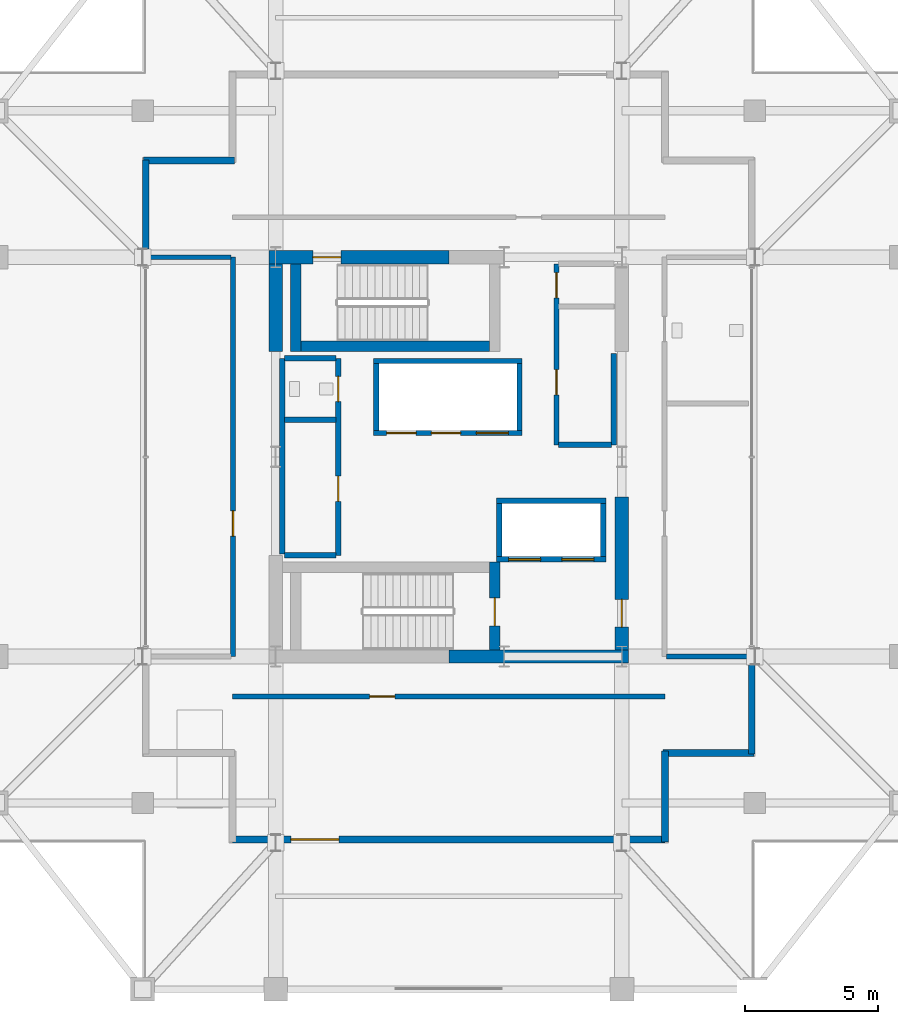
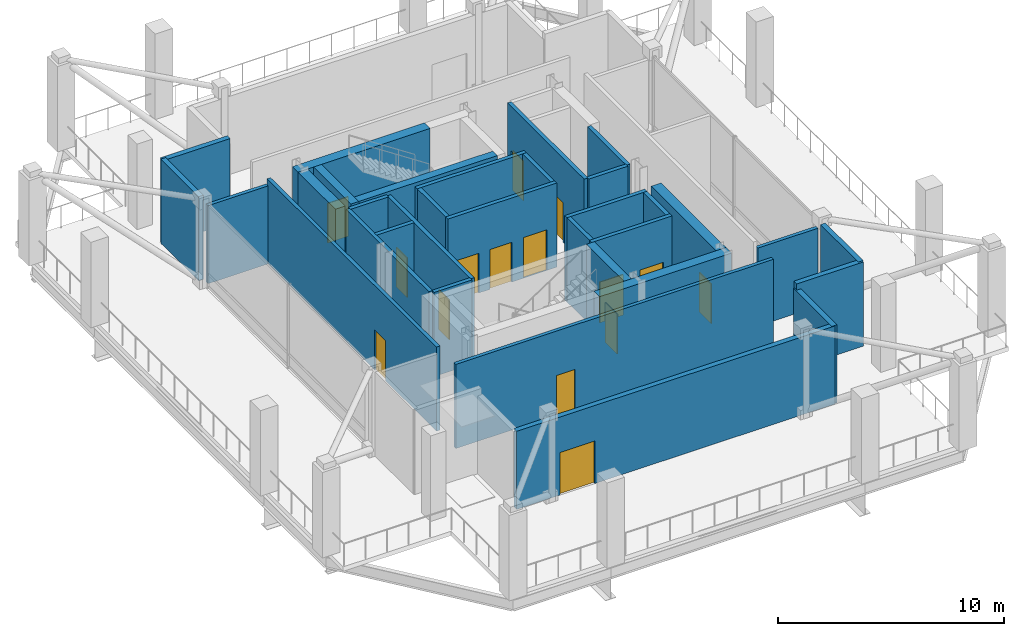
# One storey, part 12 of 17: 33 walls, 15 doors, 15 openings.
"""IFC4 building model written with IfcOpenShell, lengths in metres."""

from ifc_helpers import new_model, si_unit, direction, frame, frame_2d, origin, place, context, subcontext, project, spatial, rectangle, extrude, material, layer, layer_set, type_object, element, fill, save


model = new_model("IFC4")

# Units and contexts
model_context = context("Model", 3, precision=1e-05, world=origin(), true_north=direction((0.0, 1.0)))
body_context = subcontext(model_context, "Body", "Model", "MODEL_VIEW")
ifc_project = project(units=[si_unit("LENGTHUNIT", "METRE"), si_unit("AREAUNIT", "SQUARE_METRE"), si_unit("VOLUMEUNIT", "CUBIC_METRE"), si_unit("PLANEANGLEUNIT", "RADIAN"), si_unit("MASSUNIT", "GRAM", prefix="KILO")], contexts=[model_context])

# Site, building, storey
site_placement = place(None, origin())
site = spatial("IfcSite", under=ifc_project, at=site_placement, CompositionType="ELEMENT")
building_placement = place(site_placement, origin())
building = spatial("IfcBuilding", under=site, at=building_placement, Name="Barlavira Tower and Art Museum", CompositionType="ELEMENT")
storey_placement = place(building_placement, frame((0.0, 0.0, 305.10009765625)))
storey = spatial("IfcBuildingStorey", under=building, at=storey_placement, Name="L80", CompositionType="ELEMENT", Elevation=305.10009765625)

# Wall
ifc_material_1 = material(Name="Concrete C60", Category="concrete")
ifc_layer_1 = layer(ifc_material_1, 0.5, Name="Concrete C60")
ifc_layer_set_1 = layer_set([ifc_layer_1], Name="Concrete C60")
wall_type_1 = type_object("IfcWallType", Name="Core Structural Shear Wall 500 Concrete C60", PredefinedType="SHEAR", material=ifc_layer_set_1)
wall_1_placement = place(storey_placement, frame((0.0, -7.5, 0.0), z_axis=(0.0, 0.0, 1.0), x_axis=(1.0, 0.0, 0.0)))
element("IfcWall", 1, at=wall_1_placement, inside=storey, type_object=wall_type_1, Name="L80 Core Shear Wall CS-SE", PredefinedType="SHEAR", context=body_context, shape_type="SweptSolid", body=[
    extrude(rectangle(XDim=6.75, YDim=0.5, at=frame_2d((3.375, 0.0))), origin(), (0.0, 0.0, 1.0), 4.5498046875),
])

# Wall, opening, door
wall_2_placement = place(storey_placement, frame((-6.75, 7.5, 0.0), z_axis=(0.0, 0.0, 1.0), x_axis=(1.0, 0.0, 0.0)))
wall_2 = element("IfcWall", 2, at=wall_2_placement, inside=storey, type_object=wall_type_1, Name="L80 Core Shear Wall CS-NW", PredefinedType="SHEAR", context=body_context, shape_type="SweptSolid", body=[
    extrude(rectangle(XDim=6.75, YDim=0.5, at=frame_2d((3.375, 0.0))), origin(), (0.0, 0.0, 1.0), 4.5498046875),
])
opening_1_placement = place(wall_2_placement, frame((1.64990234375, 0.0, 0.0)))
opening_1 = element("IfcOpeningElement", 3, at=opening_1_placement, cuts=wall_2, Name="Opening FD-90", PredefinedType="OPENING", context=body_context, shape_type="SweptSolid", body=[
    extrude(rectangle(XDim=1.050048828125, YDim=2.14990234375, at=frame_2d((0.52490234375, 1.074951171875))), frame((0.0, 0.260009765625, 0.0), z_axis=(0.0, -1.0, 0.0), x_axis=(1.0, 0.0, 0.0)), (0.0, 0.0, 1.0), 0.52001953125),
])
ifc_material_2 = material(Name="Brushed stainless steel", Category="steel")
door_type_1 = type_object("IfcDoorType", Name="Stair and Refuge Fire Door 1050x2150 FD90S", OperationType="NOTDEFINED", PredefinedType="DOOR", material=ifc_material_2)
door_1_placement = place(opening_1_placement, origin())
door_1 = element("IfcDoor", 4, at=door_1_placement, inside=storey, type_object=door_type_1, Name="L80 Stair ST-T2 Fire Door", OperationType="SINGLE_SWING_LEFT", OverallHeight=2.14990234375, OverallWidth=1.050048828125, PredefinedType="DOOR", context=body_context, shape_type="SweptSolid", body=[
    extrude(rectangle(XDim=1.050048828125, YDim=2.14990234375, at=frame_2d((0.52490234375, 1.074951171875))), frame((0.0, 0.02490234375, 0.0), z_axis=(0.0, -1.0, 0.0), x_axis=(1.0, 0.0, 0.0)), (0.0, 0.0, 1.0), 0.050048828125),
])
fill(opening_1, door_1)

# Wall
wall_3_placement = place(storey_placement, frame((-6.5, 3.949951171875, 0.0), z_axis=(0.0, 0.0, 1.0), x_axis=(0.0, 1.0, 0.0)))
element("IfcWall", 5, at=wall_3_placement, inside=storey, type_object=wall_type_1, Name="L80 Core Shear Wall CS-W2", PredefinedType="SHEAR", context=body_context, shape_type="SweptSolid", body=[
    extrude(rectangle(XDim=3.300048828125, YDim=0.5, at=frame_2d((1.64990234375, 0.0))), origin(), (0.0, 0.0, 1.0), 4.5498046875),
])

# Wall, opening, door
wall_4_placement = place(storey_placement, frame((6.5, -7.25, 0.0), z_axis=(0.0, 0.0, 1.0), x_axis=(0.0, 1.0, 0.0)))
wall_4 = element("IfcWall", 6, at=wall_4_placement, inside=storey, type_object=wall_type_1, Name="L80 Core Shear Wall CS-E1", PredefinedType="SHEAR", context=body_context, shape_type="SweptSolid", body=[
    extrude(rectangle(XDim=5.75, YDim=0.5, at=frame_2d((2.875, 0.0))), origin(), (0.0, 0.0, 1.0), 4.5498046875),
])
opening_2_placement = place(wall_4_placement, frame((0.85009765625, 0.0, 0.0)))
opening_2 = element("IfcOpeningElement", 7, at=opening_2_placement, cuts=wall_4, Name="Opening FD-90", PredefinedType="OPENING", context=body_context, shape_type="SweptSolid", body=[
    extrude(rectangle(XDim=1.050048828125, YDim=2.14990234375, at=frame_2d((0.52490234375, 1.074951171875))), frame((0.0, 0.260009765625, 0.0), z_axis=(0.0, -1.0, 0.0), x_axis=(1.0, 0.0, 0.0)), (0.0, 0.0, 1.0), 0.52001953125),
])
door_2_placement = place(opening_2_placement, origin())
door_2 = element("IfcDoor", 8, at=door_2_placement, inside=storey, type_object=door_type_1, Name="L80 Firefighting Lobby Entry Fire Door", OperationType="SINGLE_SWING_LEFT", OverallHeight=2.14990234375, OverallWidth=1.050048828125, PredefinedType="DOOR", context=body_context, shape_type="SweptSolid", body=[
    extrude(rectangle(XDim=1.050048828125, YDim=2.14990234375, at=frame_2d((0.52490234375, 1.074951171875))), frame((0.0, 0.02490234375, 0.0), z_axis=(0.0, -1.0, 0.0), x_axis=(1.0, 0.0, 0.0)), (0.0, 0.0, 1.0), 0.050048828125),
])
fill(opening_2, door_2)

ifc_material_3 = material(Name="Architectural white precast concrete C40", Category="concrete")
ifc_layer_2 = layer(ifc_material_3, 0.260009765625, Name="Architectural white precast concrete C40")
ifc_layer_set_2 = layer_set([ifc_layer_2], Name="Architectural white precast concrete C40")
wall_type_2 = type_object("IfcWallType", Name="Crown Architectural White Precast Wall 260 Concrete C40", PredefinedType="SOLIDWALL", material=ifc_layer_set_2)
wall_5_placement = place(storey_placement, frame((-8.1298828125, -14.3701171875, 0.0), z_axis=(0.0, 0.0, 1.0), x_axis=(1.0, 0.0, 0.0)))
wall_5 = element("IfcWall", 9, at=wall_5_placement, inside=storey, type_object=wall_type_2, Name="L80 Observation Lounge South Wall", PredefinedType="SOLIDWALL", context=body_context, shape_type="SweptSolid", body=[
    extrude(rectangle(XDim=16.259765625, YDim=0.260009765625, at=frame_2d((8.1298828125, 0.0))), origin(), (0.0, 0.0, 1.0), 4.218017578125),
])
opening_3_placement = place(wall_5_placement, frame((2.199951171875, 0.0, 0.0)))
opening_3 = element("IfcOpeningElement", 10, at=opening_3_placement, cuts=wall_5, Name="Opening ED-03", PredefinedType="OPENING", context=body_context, shape_type="SweptSolid", body=[
    extrude(rectangle(XDim=1.800048828125, YDim=2.300048828125, at=frame_2d((0.89990234375, 1.14990234375))), frame((0.0, 0.14013671875, 0.0), z_axis=(0.0, -1.0, 0.0), x_axis=(1.0, 0.0, 0.0)), (0.0, 0.0, 1.0), 0.280029296875),
])
ifc_material_4 = material(Name="Pale anodised aluminium", Category="aluminium")
door_type_2 = type_object("IfcDoorType", Name="Terrace and Observation Deck Glazed Door 1800x2300", OperationType="NOTDEFINED", PredefinedType="DOOR", material=ifc_material_4)
door_3_placement = place(opening_3_placement, origin())
door_3 = element("IfcDoor", 11, at=door_3_placement, inside=storey, type_object=door_type_2, Name="L80 South Observation Deck Access Door", OperationType="DOUBLE_DOOR_SINGLE_SWING", OverallHeight=2.300048828125, OverallWidth=1.800048828125, PredefinedType="DOOR", context=body_context, shape_type="SweptSolid", body=[
    extrude(rectangle(XDim=1.800048828125, YDim=2.300048828125, at=frame_2d((0.89990234375, 1.14990234375))), frame((0.0, 0.02490234375, 0.0), z_axis=(0.0, -1.0, 0.0), x_axis=(1.0, 0.0, 0.0)), (0.0, 0.0, 1.0), 0.050048828125),
])
fill(opening_3, door_3)

# Walls
wall_6_placement = place(storey_placement, frame((8.1298828125, -14.4599609375, 0.0), z_axis=(0.0, 0.0, 1.0), x_axis=(0.0, 1.0, 0.0)))
element("IfcWall", 12, at=wall_6_placement, inside=storey, type_object=wall_type_2, Name="L80 Crown Notch White Precast Wall SE1", PredefinedType="SOLIDWALL", context=body_context, shape_type="SweptSolid", body=[
    extrude(rectangle(XDim=3.409912109375, YDim=0.260009765625, at=frame_2d((1.705078125, 0.0))), origin(), (0.0, 0.0, 1.0), 4.218017578125),
])
for number, where, z_axis, x_axis, name in (
    (13, (8.050048828125, -11.1298828125, 0.0), (0.0, 0.0, 1.0), (1.0, 0.0, 0.0), "L80 Crown Notch White Precast Wall SE2"),
    (14, (-8.050048828125, 11.1298828125, 0.0), (0.0, 0.0, 1.0), (-1.0, 0.0, 0.0), "L80 Crown Notch White Precast Wall NW2"),
):
    element("IfcWall", number, at=place(storey_placement, frame(where, z_axis=z_axis, x_axis=x_axis)), inside=storey, type_object=wall_type_2, Name=name, PredefinedType="SOLIDWALL", context=body_context, shape_type="SweptSolid", body=[
        extrude(rectangle(XDim=3.409912109375, YDim=0.260009765625, at=frame_2d((1.705078125, 0.0))), origin(), (0.0, 0.0, 1.0), 4.5498046875),
    ])

# Wall, openings, doors
ifc_material_5 = material(Name="Autoclaved aerated concrete masonry", Category="masonry")
ifc_layer_3 = layer(ifc_material_5, 0.199951171875, Name="Autoclaved aerated concrete masonry")
ifc_layer_set_3 = layer_set([ifc_layer_3], Name="Autoclaved aerated concrete masonry")
wall_type_3 = type_object("IfcWallType", Name="Fire Compartment and Shaft Wall 200", PredefinedType="SOLIDWALL", material=ifc_layer_set_3)
wall_7_placement = place(storey_placement, frame((-2.820068359375, 0.89990234375, 0.0), z_axis=(0.0, 0.0, 1.0), x_axis=(1.0, 0.0, 0.0)))
wall_7 = element("IfcWall", 15, at=wall_7_placement, inside=storey, type_object=wall_type_3, Name="L80 High-Rise & Service Lift Front Wall", PredefinedType="SOLIDWALL", context=body_context, shape_type="SweptSolid", body=[
    extrude(rectangle(XDim=5.580078125, YDim=0.199951171875, at=frame_2d((2.7900390625, 0.0))), origin(), (0.0, 0.0, 1.0), 4.5498046875),
])
opening_4_placement = place(wall_7_placement, frame((0.489990234375, 0.0, 0.0)))
opening_4 = element("IfcOpeningElement", 16, at=opening_4_placement, cuts=wall_7, Name="Opening LD-P", PredefinedType="OPENING", context=body_context, shape_type="SweptSolid", body=[
    extrude(rectangle(XDim=1.10009765625, YDim=2.14990234375, at=frame_2d((0.550048828125, 1.074951171875))), frame((0.0, 0.10986328125, 0.0), z_axis=(0.0, -1.0, 0.0), x_axis=(1.0, 0.0, 0.0)), (0.0, 0.0, 1.0), 0.219970703125),
])
opening_5_placement = place(wall_7_placement, frame((2.169921875, 0.0, 0.0)))
opening_5 = element("IfcOpeningElement", 17, at=opening_5_placement, cuts=wall_7, Name="Opening LD-P", PredefinedType="OPENING", context=body_context, shape_type="SweptSolid", body=[
    extrude(rectangle(XDim=1.10009765625, YDim=2.14990234375, at=frame_2d((0.550048828125, 1.074951171875))), frame((0.0, 0.10986328125, 0.0), z_axis=(0.0, -1.0, 0.0), x_axis=(1.0, 0.0, 0.0)), (0.0, 0.0, 1.0), 0.219970703125),
])
opening_6_placement = place(wall_7_placement, frame((3.860107421875, 0.0, 0.0)))
opening_6 = element("IfcOpeningElement", 18, at=opening_6_placement, cuts=wall_7, Name="Opening LD-F", PredefinedType="OPENING", context=body_context, shape_type="SweptSolid", body=[
    extrude(rectangle(XDim=1.199951171875, YDim=2.199951171875, at=frame_2d((0.60009765625, 1.10009765625))), frame((0.0, 0.10986328125, 0.0), z_axis=(0.0, -1.0, 0.0), x_axis=(1.0, 0.0, 0.0)), (0.0, 0.0, 1.0), 0.219970703125),
])
door_type_3 = type_object("IfcDoorType", Name="Firefighting and Service Lift Sliding Door 1200x2200 FD120", OperationType="NOTDEFINED", PredefinedType="DOOR", material=ifc_material_2)
door_4_placement = place(opening_6_placement, origin())
door_4 = element("IfcDoor", 19, at=door_4_placement, inside=storey, type_object=door_type_3, Name="L80 Stretcher Service Lift SL1 Sliding Door", OperationType="DOUBLE_DOOR_SLIDING", OverallHeight=2.199951171875, OverallWidth=1.199951171875, PredefinedType="DOOR", context=body_context, shape_type="SweptSolid", body=[
    extrude(rectangle(XDim=1.199951171875, YDim=2.199951171875, at=frame_2d((0.60009765625, 1.10009765625))), frame((0.0, 0.02490234375, 0.0), z_axis=(0.0, -1.0, 0.0), x_axis=(1.0, 0.0, 0.0)), (0.0, 0.0, 1.0), 0.050048828125),
])
fill(opening_6, door_4)
door_type_4 = type_object("IfcDoorType", Name="Passenger Lift Sliding Landing Door 1100x2150 FD60", OperationType="NOTDEFINED", PredefinedType="DOOR", material=ifc_material_2)
door_5_placement = place(opening_4_placement, origin())
door_5 = element("IfcDoor", 20, at=door_5_placement, inside=storey, type_object=door_type_4, Name="L80 Lift PH1 Sliding Landing Door", OperationType="DOUBLE_DOOR_SLIDING", OverallHeight=2.14990234375, OverallWidth=1.10009765625, PredefinedType="DOOR", context=body_context, shape_type="SweptSolid", body=[
    extrude(rectangle(XDim=1.10009765625, YDim=2.14990234375, at=frame_2d((0.550048828125, 1.074951171875))), frame((0.0, 0.02490234375, 0.0), z_axis=(0.0, -1.0, 0.0), x_axis=(1.0, 0.0, 0.0)), (0.0, 0.0, 1.0), 0.050048828125),
])
fill(opening_4, door_5)
door_6_placement = place(opening_5_placement, origin())
door_6 = element("IfcDoor", 21, at=door_6_placement, inside=storey, type_object=door_type_4, Name="L80 Lift PH2 Sliding Landing Door", OperationType="DOUBLE_DOOR_SLIDING", OverallHeight=2.14990234375, OverallWidth=1.10009765625, PredefinedType="DOOR", context=body_context, shape_type="SweptSolid", body=[
    extrude(rectangle(XDim=1.10009765625, YDim=2.14990234375, at=frame_2d((0.550048828125, 1.074951171875))), frame((0.0, 0.02490234375, 0.0), z_axis=(0.0, -1.0, 0.0), x_axis=(1.0, 0.0, 0.0)), (0.0, 0.0, 1.0), 0.050048828125),
])
fill(opening_5, door_6)

# Walls
wall_8_placement = place(storey_placement, frame((-2.820068359375, 3.60009765625, 0.0), z_axis=(0.0, 0.0, 1.0), x_axis=(1.0, 0.0, 0.0)))
element("IfcWall", 22, at=wall_8_placement, inside=storey, type_object=wall_type_3, Name="L80 High-Rise & Service Lift Back Wall", PredefinedType="SOLIDWALL", context=body_context, shape_type="SweptSolid", body=[
    extrude(rectangle(XDim=5.580078125, YDim=0.199951171875, at=frame_2d((2.7900390625, 0.0))), origin(), (0.0, 0.0, 1.0), 4.5498046875),
])
for number, where, z_axis, x_axis, name in (
    (23, (-2.719970703125, 1.0, 0.0), (0.0, 0.0, 1.0), (0.0, 1.0, 0.0), "L80 High-Rise & Service Lift West Wall"),
    (24, (2.659912109375, 1.0, 0.0), (0.0, 0.0, 1.0), (0.0, 1.0, 0.0), "L80 High-Rise & Service Lift East Wall"),
):
    element("IfcWall", number, at=place(storey_placement, frame(where, z_axis=z_axis, x_axis=x_axis)), inside=storey, type_object=wall_type_3, Name=name, PredefinedType="SOLIDWALL", context=body_context, shape_type="SweptSolid", body=[
        extrude(rectangle(XDim=2.5, YDim=0.199951171875, at=frame_2d((1.25, 0.0))), origin(), (0.0, 0.0, 1.0), 4.5498046875),
    ])

# Wall, openings, doors
wall_9_placement = place(storey_placement, frame((1.800048828125, -3.85009765625, 0.0), z_axis=(0.0, 0.0, 1.0), x_axis=(1.0, 0.0, 0.0)))
wall_9 = element("IfcWall", 25, at=wall_9_placement, inside=storey, type_object=wall_type_3, Name="L80 Firefighting Lift Front Shaft Wall", PredefinedType="SOLIDWALL", context=body_context, shape_type="SweptSolid", body=[
    extrude(rectangle(XDim=4.099853515625, YDim=0.199951171875, at=frame_2d((2.0498046875, 0.0))), origin(), (0.0, 0.0, 1.0), 4.5498046875),
])
opening_7_placement = place(wall_9_placement, frame((0.449951171875, 0.0, 0.0)))
opening_7 = element("IfcOpeningElement", 26, at=opening_7_placement, cuts=wall_9, Name="Opening LD-F", PredefinedType="OPENING", context=body_context, shape_type="SweptSolid", body=[
    extrude(rectangle(XDim=1.199951171875, YDim=2.199951171875, at=frame_2d((0.60009765625, 1.10009765625))), frame((0.0, 0.10986328125, 0.0), z_axis=(0.0, -1.0, 0.0), x_axis=(1.0, 0.0, 0.0)), (0.0, 0.0, 1.0), 0.219970703125),
])
opening_8_placement = place(wall_9_placement, frame((2.449951171875, 0.0, 0.0)))
opening_8 = element("IfcOpeningElement", 27, at=opening_8_placement, cuts=wall_9, Name="Opening LD-F", PredefinedType="OPENING", context=body_context, shape_type="SweptSolid", body=[
    extrude(rectangle(XDim=1.199951171875, YDim=2.199951171875, at=frame_2d((0.60009765625, 1.10009765625))), frame((0.0, 0.10986328125, 0.0), z_axis=(0.0, -1.0, 0.0), x_axis=(1.0, 0.0, 0.0)), (0.0, 0.0, 1.0), 0.219970703125),
])
door_7_placement = place(opening_7_placement, origin())
door_7 = element("IfcDoor", 28, at=door_7_placement, inside=storey, type_object=door_type_3, Name="L80 Firefighting Lift FF1 Sliding Door", OperationType="DOUBLE_DOOR_SLIDING", OverallHeight=2.199951171875, OverallWidth=1.199951171875, PredefinedType="DOOR", context=body_context, shape_type="SweptSolid", body=[
    extrude(rectangle(XDim=1.199951171875, YDim=2.199951171875, at=frame_2d((0.60009765625, 1.10009765625))), frame((0.0, 0.02490234375, 0.0), z_axis=(0.0, -1.0, 0.0), x_axis=(1.0, 0.0, 0.0)), (0.0, 0.0, 1.0), 0.050048828125),
])
fill(opening_7, door_7)
door_8_placement = place(opening_8_placement, origin())
door_8 = element("IfcDoor", 29, at=door_8_placement, inside=storey, type_object=door_type_3, Name="L80 Firefighting Lift FF2 Sliding Door", OperationType="DOUBLE_DOOR_SLIDING", OverallHeight=2.199951171875, OverallWidth=1.199951171875, PredefinedType="DOOR", context=body_context, shape_type="SweptSolid", body=[
    extrude(rectangle(XDim=1.199951171875, YDim=2.199951171875, at=frame_2d((0.60009765625, 1.10009765625))), frame((0.0, 0.02490234375, 0.0), z_axis=(0.0, -1.0, 0.0), x_axis=(1.0, 0.0, 0.0)), (0.0, 0.0, 1.0), 0.050048828125),
])
fill(opening_8, door_8)

# Walls
wall_10_placement = place(storey_placement, frame((1.800048828125, -1.64990234375, 0.0), z_axis=(0.0, 0.0, 1.0), x_axis=(1.0, 0.0, 0.0)))
element("IfcWall", 30, at=wall_10_placement, inside=storey, type_object=wall_type_3, Name="L80 Firefighting Lift Back Shaft Wall", PredefinedType="SOLIDWALL", context=body_context, shape_type="SweptSolid", body=[
    extrude(rectangle(XDim=4.099853515625, YDim=0.199951171875, at=frame_2d((2.0498046875, 0.0))), origin(), (0.0, 0.0, 1.0), 4.5498046875),
])
for number, where, z_axis, x_axis, name in (
    (31, (1.89990234375, -3.75, 0.0), (0.0, 0.0, 1.0), (0.0, 1.0, 0.0), "L80 Firefighting Lift West Shaft Wall"),
    (32, (5.800048828125, -3.75, 0.0), (0.0, 0.0, 1.0), (0.0, 1.0, 0.0), "L80 Firefighting Lift East Shaft Wall"),
):
    element("IfcWall", number, at=place(storey_placement, frame(where, z_axis=z_axis, x_axis=x_axis)), inside=storey, type_object=wall_type_3, Name=name, PredefinedType="SOLIDWALL", context=body_context, shape_type="SweptSolid", body=[
        extrude(rectangle(XDim=2.0, YDim=0.199951171875, at=frame_2d((1.0, 0.0))), origin(), (0.0, 0.0, 1.0), 4.5498046875),
    ])
wall_11_placement = place(storey_placement, frame((-6.25, -3.639892578125, 0.0), z_axis=(0.0, 0.0, 1.0), x_axis=(0.0, 1.0, 0.0)))
element("IfcWall", 33, at=wall_11_placement, inside=storey, type_object=wall_type_3, Name="L80 Partition Wall 2", PredefinedType="SOLIDWALL", context=body_context, shape_type="SweptSolid", body=[
    extrude(rectangle(XDim=7.33984375, YDim=0.199951171875, at=frame_2d((3.669921875, 0.0))), origin(), (0.0, 0.0, 1.0), 4.5498046875),
])

# Wall, openings, doors
wall_12_placement = place(storey_placement, frame((-4.14990234375, -3.699951171875, 0.0), z_axis=(0.0, 0.0, 1.0), x_axis=(0.0, 1.0, 0.0)))
wall_12 = element("IfcWall", 34, at=wall_12_placement, inside=storey, type_object=wall_type_3, Name="L80 Partition Wall 3", PredefinedType="SOLIDWALL", context=body_context, shape_type="SweptSolid", body=[
    extrude(rectangle(XDim=7.39990234375, YDim=0.199951171875, at=frame_2d((3.699951171875, 0.0))), origin(), (0.0, 0.0, 1.0), 4.5498046875),
])
opening_9_placement = place(wall_12_placement, frame((2.02490234375, 0.0, 0.0)))
opening_9 = element("IfcOpeningElement", 35, at=opening_9_placement, cuts=wall_12, Name="Opening FD-60", PredefinedType="OPENING", context=body_context, shape_type="SweptSolid", body=[
    extrude(rectangle(XDim=0.949951171875, YDim=2.14990234375, at=frame_2d((0.47509765625, 1.074951171875))), frame((0.0, 0.10986328125, 0.0), z_axis=(0.0, -1.0, 0.0), x_axis=(1.0, 0.0, 0.0)), (0.0, 0.0, 1.0), 0.219970703125),
])
opening_10_placement = place(wall_12_placement, frame((5.77490234375, 0.0, 0.0)))
opening_10 = element("IfcOpeningElement", 36, at=opening_10_placement, cuts=wall_12, Name="Opening FD-60", PredefinedType="OPENING", context=body_context, shape_type="SweptSolid", body=[
    extrude(rectangle(XDim=0.949951171875, YDim=2.14990234375, at=frame_2d((0.47509765625, 1.074951171875))), frame((0.0, 0.10986328125, 0.0), z_axis=(0.0, -1.0, 0.0), x_axis=(1.0, 0.0, 0.0)), (0.0, 0.0, 1.0), 0.219970703125),
])
door_type_5 = type_object("IfcDoorType", Name="Apartment Entrance and Riser Fire Door 950x2150 FD60S", OperationType="NOTDEFINED", PredefinedType="DOOR", material=ifc_material_2)
door_9_placement = place(opening_9_placement, origin())
door_9 = element("IfcDoor", 37, at=door_9_placement, inside=storey, type_object=door_type_5, Name="Reclaimed Core Resident Parcel Room Door", OperationType="SINGLE_SWING_RIGHT", OverallHeight=2.14990234375, OverallWidth=0.949951171875, PredefinedType="DOOR", context=body_context, shape_type="SweptSolid", body=[
    extrude(rectangle(XDim=0.949951171875, YDim=2.14990234375, at=frame_2d((0.47509765625, 1.074951171875))), frame((0.0, 0.02490234375, 0.0), z_axis=(0.0, -1.0, 0.0), x_axis=(1.0, 0.0, 0.0)), (0.0, 0.0, 1.0), 0.050048828125),
])
fill(opening_9, door_9)
door_10_placement = place(opening_10_placement, origin())
door_10 = element("IfcDoor", 38, at=door_10_placement, inside=storey, type_object=door_type_5, Name="Reclaimed Core Accessible WC Door", OperationType="SINGLE_SWING_LEFT", OverallHeight=2.14990234375, OverallWidth=0.949951171875, PredefinedType="DOOR", context=body_context, shape_type="SweptSolid", body=[
    extrude(rectangle(XDim=0.949951171875, YDim=2.14990234375, at=frame_2d((0.47509765625, 1.074951171875))), frame((0.0, 0.02490234375, 0.0), z_axis=(0.0, -1.0, 0.0), x_axis=(1.0, 0.0, 0.0)), (0.0, 0.0, 1.0), 0.050048828125),
])
fill(opening_10, door_10)

wall_13_placement = place(storey_placement, frame((4.050048828125, 0.449951171875, 0.0), z_axis=(0.0, 0.0, 1.0), x_axis=(0.0, 1.0, 0.0)))
wall_13 = element("IfcWall", 39, at=wall_13_placement, inside=storey, type_object=wall_type_3, Name="L80 Partition Wall 4", PredefinedType="SOLIDWALL", context=body_context, shape_type="SweptSolid", body=[
    extrude(rectangle(XDim=6.800048828125, YDim=0.199951171875, at=frame_2d((3.39990234375, 0.0))), origin(), (0.0, 0.0, 1.0), 4.5498046875),
])
opening_11_placement = place(wall_13_placement, frame((1.875, 0.0, 0.0)))
opening_11 = element("IfcOpeningElement", 40, at=opening_11_placement, cuts=wall_13, Name="Opening FD-60", PredefinedType="OPENING", context=body_context, shape_type="SweptSolid", body=[
    extrude(rectangle(XDim=0.949951171875, YDim=2.14990234375, at=frame_2d((0.47509765625, 1.074951171875))), frame((0.0, 0.10986328125, 0.0), z_axis=(0.0, -1.0, 0.0), x_axis=(1.0, 0.0, 0.0)), (0.0, 0.0, 1.0), 0.219970703125),
])
opening_12_placement = place(wall_13_placement, frame((5.52490234375, 0.0, 0.0)))
opening_12 = element("IfcOpeningElement", 41, at=opening_12_placement, cuts=wall_13, Name="Opening FD-60", PredefinedType="OPENING", context=body_context, shape_type="SweptSolid", body=[
    extrude(rectangle(XDim=0.949951171875, YDim=2.14990234375, at=frame_2d((0.47509765625, 1.074951171875))), frame((0.0, 0.10986328125, 0.0), z_axis=(0.0, -1.0, 0.0), x_axis=(1.0, 0.0, 0.0)), (0.0, 0.0, 1.0), 0.219970703125),
])
door_11_placement = place(opening_11_placement, origin())
door_11 = element("IfcDoor", 42, at=door_11_placement, inside=storey, type_object=door_type_5, Name="Reclaimed Upper Core Study Salon Door", OperationType="SINGLE_SWING_RIGHT", OverallHeight=2.14990234375, OverallWidth=0.949951171875, PredefinedType="DOOR", context=body_context, shape_type="SweptSolid", body=[
    extrude(rectangle(XDim=0.949951171875, YDim=2.14990234375, at=frame_2d((0.47509765625, 1.074951171875))), frame((0.0, 0.02490234375, 0.0), z_axis=(0.0, -1.0, 0.0), x_axis=(1.0, 0.0, 0.0)), (0.0, 0.0, 1.0), 0.050048828125),
])
fill(opening_11, door_11)
door_12_placement = place(opening_12_placement, origin())
door_12 = element("IfcDoor", 43, at=door_12_placement, inside=storey, type_object=door_type_5, Name="Telecom and BMS Distribution Room Door", OperationType="SINGLE_SWING_LEFT", OverallHeight=2.14990234375, OverallWidth=0.949951171875, PredefinedType="DOOR", context=body_context, shape_type="SweptSolid", body=[
    extrude(rectangle(XDim=0.949951171875, YDim=2.14990234375, at=frame_2d((0.47509765625, 1.074951171875))), frame((0.0, 0.02490234375, 0.0), z_axis=(0.0, -1.0, 0.0), x_axis=(1.0, 0.0, 0.0)), (0.0, 0.0, 1.0), 0.050048828125),
])
fill(opening_12, door_12)

# Walls
wall_14_placement = place(storey_placement, frame((6.199951171875, 0.449951171875, 0.0), z_axis=(0.0, 0.0, 1.0), x_axis=(0.0, 1.0, 0.0)))
element("IfcWall", 44, at=wall_14_placement, inside=storey, type_object=wall_type_3, Name="L80 Partition Wall 5", PredefinedType="SOLIDWALL", context=body_context, shape_type="SweptSolid", body=[
    extrude(rectangle(XDim=3.43994140625, YDim=0.199951171875, at=frame_2d((1.719970703125, 0.0))), origin(), (0.0, 0.0, 1.0), 4.5498046875),
])
wall_15_placement = place(storey_placement, frame((-6.169921875, -3.699951171875, 0.0), z_axis=(0.0, 0.0, 1.0), x_axis=(1.0, 0.0, 0.0)))
element("IfcWall", 45, at=wall_15_placement, inside=storey, type_object=wall_type_3, Name="L80 Partition Wall 10", PredefinedType="SOLIDWALL", context=body_context, shape_type="SweptSolid", body=[
    extrude(rectangle(XDim=1.93994140625, YDim=0.199951171875, at=frame_2d((0.969970703125, 0.0))), origin(), (0.0, 0.0, 1.0), 4.5498046875),
])
wall_16_placement = place(storey_placement, frame((4.1298828125, 0.449951171875, 0.0), z_axis=(0.0, 0.0, 1.0), x_axis=(1.0, 0.0, 0.0)))
element("IfcWall", 46, at=wall_16_placement, inside=storey, type_object=wall_type_3, Name="L80 Partition Wall 11", PredefinedType="SOLIDWALL", context=body_context, shape_type="SweptSolid", body=[
    extrude(rectangle(XDim=1.990234375, YDim=0.199951171875, at=frame_2d((0.9951171875, 0.0))), origin(), (0.0, 0.0, 1.0), 4.5498046875),
])
for number, where, z_axis, x_axis, name in (
    (47, (-6.169921875, 1.39990234375, 0.0), (0.0, 0.0, 1.0), (1.0, 0.0, 0.0), "L80 Partition Wall 12"),
    (48, (-6.169921875, 3.699951171875, 0.0), (0.0, 0.0, 1.0), (1.0, 0.0, 0.0), "L80 Partition Wall 14"),
):
    element("IfcWall", number, at=place(storey_placement, frame(where, z_axis=z_axis, x_axis=x_axis)), inside=storey, type_object=wall_type_3, Name=name, PredefinedType="SOLIDWALL", context=body_context, shape_type="SweptSolid", body=[
        extrude(rectangle(XDim=1.93994140625, YDim=0.199951171875, at=frame_2d((0.969970703125, 0.0))), origin(), (0.0, 0.0, 1.0), 4.5498046875),
    ])

# Wall, opening, door
ifc_material_6 = material(Name="Gypsum acoustic stud partition", Category="gypsum")
ifc_layer_4 = layer(ifc_material_6, 0.179931640625, Name="Gypsum acoustic stud partition")
ifc_layer_set_4 = layer_set([ifc_layer_4], Name="Gypsum acoustic stud partition")
wall_type_4 = type_object("IfcWallType", Name="Inter-Tenancy Party Partition Wall 180", PredefinedType="PARTITIONING", material=ifc_layer_set_4)
wall_17_placement = place(storey_placement, frame((-8.10009765625, -7.5, 0.0), z_axis=(0.0, 0.0, 1.0), x_axis=(0.0, 1.0, 0.0)))
wall_17 = element("IfcWall", 49, at=wall_17_placement, inside=storey, type_object=wall_type_4, Name="L80 Partition Wall 1", PredefinedType="PARTITIONING", context=body_context, shape_type="SweptSolid", body=[
    extrude(rectangle(XDim=15.0, YDim=0.179931640625, at=frame_2d((7.5, 0.0))), origin(), (0.0, 0.0, 1.0), 4.5498046875),
])
opening_13_placement = place(wall_17_placement, frame((4.52490234375, 0.0, 0.0)))
opening_13 = element("IfcOpeningElement", 50, at=opening_13_placement, cuts=wall_17, Name="Opening FD-60", PredefinedType="OPENING", context=body_context, shape_type="SweptSolid", body=[
    extrude(rectangle(XDim=0.949951171875, YDim=2.14990234375, at=frame_2d((0.47509765625, 1.074951171875))), frame((0.0, 0.10009765625, 0.0), z_axis=(0.0, -1.0, 0.0), x_axis=(1.0, 0.0, 0.0)), (0.0, 0.0, 1.0), 0.199951171875),
])
door_13_placement = place(opening_13_placement, origin())
door_13 = element("IfcDoor", 51, at=door_13_placement, inside=storey, type_object=door_type_5, Name="Sunset Champagne Bar and Gallery Door", OperationType="SINGLE_SWING_RIGHT", OverallHeight=2.14990234375, OverallWidth=0.949951171875, PredefinedType="DOOR", context=body_context, shape_type="SweptSolid", body=[
    extrude(rectangle(XDim=0.949951171875, YDim=2.14990234375, at=frame_2d((0.47509765625, 1.074951171875))), frame((0.0, 0.02490234375, 0.0), z_axis=(0.0, -1.0, 0.0), x_axis=(1.0, 0.0, 0.0)), (0.0, 0.0, 1.0), 0.050048828125),
])
fill(opening_13, door_13)

wall_18_placement = place(storey_placement, frame((-8.1201171875, -9.0, 0.0), z_axis=(0.0, 0.0, 1.0), x_axis=(1.0, 0.0, 0.0)))
wall_18 = element("IfcWall", 52, at=wall_18_placement, inside=storey, type_object=wall_type_4, Name="L80 Partition Wall 7", PredefinedType="PARTITIONING", context=body_context, shape_type="SweptSolid", body=[
    extrude(rectangle(XDim=16.240234375, YDim=0.179931640625, at=frame_2d((8.1201171875, 0.0))), origin(), (0.0, 0.0, 1.0), 4.5498046875),
])
opening_14_placement = place(wall_18_placement, frame((5.14501953125, 0.0, 0.0)))
opening_14 = element("IfcOpeningElement", 53, at=opening_14_placement, cuts=wall_18, Name="Opening FD-60", PredefinedType="OPENING", context=body_context, shape_type="SweptSolid", body=[
    extrude(rectangle(XDim=0.949951171875, YDim=2.14990234375, at=frame_2d((0.47509765625, 1.074951171875))), frame((0.0, 0.10009765625, 0.0), z_axis=(0.0, -1.0, 0.0), x_axis=(1.0, 0.0, 0.0)), (0.0, 0.0, 1.0), 0.199951171875),
])
door_14_placement = place(opening_14_placement, origin())
door_14 = element("IfcDoor", 54, at=door_14_placement, inside=storey, type_object=door_type_5, Name="South Horizon Observation Sky Lounge Door", OperationType="SINGLE_SWING_RIGHT", OverallHeight=2.14990234375, OverallWidth=0.949951171875, PredefinedType="DOOR", context=body_context, shape_type="SweptSolid", body=[
    extrude(rectangle(XDim=0.949951171875, YDim=2.14990234375, at=frame_2d((0.47509765625, 1.074951171875))), frame((0.0, 0.02490234375, 0.0), z_axis=(0.0, -1.0, 0.0), x_axis=(1.0, 0.0, 0.0)), (0.0, 0.0, 1.0), 0.050048828125),
])
fill(opening_14, door_14)

# Walls
for number, where, z_axis, x_axis, name in (
    (55, (8.179931640625, -7.5, 0.0), (0.0, 0.0, 1.0), (1.0, 0.0, 0.0), "L80 Partition Wall 9"),
    (56, (-11.25, 7.5, 0.0), (0.0, 0.0, 1.0), (1.0, 0.0, 0.0), "L80 Partition Wall 17"),
):
    element("IfcWall", number, at=place(storey_placement, frame(where, z_axis=z_axis, x_axis=x_axis)), inside=storey, type_object=wall_type_4, Name=name, PredefinedType="PARTITIONING", context=body_context, shape_type="SweptSolid", body=[
        extrude(rectangle(XDim=3.070068359375, YDim=0.179931640625, at=frame_2d((1.53515625, 0.0))), origin(), (0.0, 0.0, 1.0), 4.218017578125),
    ])
ifc_material_7 = material(Name="Precast concrete C40", Category="concrete")
ifc_layer_5 = layer(ifc_material_7, 0.25, Name="Precast concrete C40")
ifc_layer_set_5 = layer_set([ifc_layer_5], Name="Precast concrete C40")
wall_type_5 = type_object("IfcWallType", Name="Notched Corner Spandrel Wall 250 Precast Concrete C40", PredefinedType="SOLIDWALL", material=ifc_layer_set_5)
for number, where, z_axis, x_axis, name in (
    (57, (-11.3798828125, 11.155029296875, 0.0), (0.0, 0.0, 1.0), (0.0, -1.0, 0.0), "L80 Coastal Facade Pier Wall CW7-L80-W-1"),
    (58, (11.3798828125, -11.155029296875, 0.0), (0.0, 0.0, 1.0), (0.0, 1.0, 0.0), "L80 Coastal Facade Pier Wall CW7-L80-E-1"),
):
    element("IfcWall", number, at=place(storey_placement, frame(where, z_axis=z_axis, x_axis=x_axis)), inside=storey, type_object=wall_type_5, Name=name, PredefinedType="SOLIDWALL", context=body_context, shape_type="SweptSolid", body=[
        extrude(rectangle(XDim=3.345458984375, YDim=0.25, at=frame_2d((1.6728515625, 0.0))), origin(), (0.0, 0.0, 1.0), 4.5498046875),
    ])

# Wall, opening, door
ifc_material_8 = material(Name="Concrete C55", Category="concrete")
ifc_layer_6 = layer(ifc_material_8, 0.39990234375, Name="Concrete C55")
ifc_layer_set_6 = layer_set([ifc_layer_6], Name="Concrete C55")
wall_type_6 = type_object("IfcWallType", Name="Upper Core Shear Wall 400 Concrete C55", PredefinedType="SHEAR", material=ifc_layer_set_6)
wall_19_placement = place(storey_placement, frame((1.72998046875, -7.25, 0.0), z_axis=(0.0, 0.0, 1.0), x_axis=(0.0, 1.0, 0.0)))
wall_19 = element("IfcWall", 59, at=wall_19_placement, inside=storey, type_object=wall_type_6, Name="L80 ST-T1 East Landing Wall", PredefinedType="SHEAR", context=body_context, shape_type="SweptSolid", body=[
    extrude(rectangle(XDim=3.300048828125, YDim=0.39990234375, at=frame_2d((1.64990234375, 0.0))), origin(), (0.0, 0.0, 1.0), 4.5498046875),
])
opening_15_placement = place(wall_19_placement, frame((0.89990234375, 0.0, 0.0)))
opening_15 = element("IfcOpeningElement", 60, at=opening_15_placement, cuts=wall_19, Name="Opening FD-90", PredefinedType="OPENING", context=body_context, shape_type="SweptSolid", body=[
    extrude(rectangle(XDim=1.050048828125, YDim=2.14990234375, at=frame_2d((0.52490234375, 1.074951171875))), frame((0.0, 0.2099609375, 0.0), z_axis=(0.0, -1.0, 0.0), x_axis=(1.0, 0.0, 0.0)), (0.0, 0.0, 1.0), 0.419921875),
])
door_15_placement = place(opening_15_placement, origin())
door_15 = element("IfcDoor", 61, at=door_15_placement, inside=storey, type_object=door_type_1, Name="L80 Stair ST-T1 Fire Door", OperationType="SINGLE_SWING_RIGHT", OverallHeight=2.14990234375, OverallWidth=1.050048828125, PredefinedType="DOOR", context=body_context, shape_type="SweptSolid", body=[
    extrude(rectangle(XDim=1.050048828125, YDim=2.14990234375, at=frame_2d((0.52490234375, 1.074951171875))), frame((0.0, 0.02490234375, 0.0), z_axis=(0.0, -1.0, 0.0), x_axis=(1.0, 0.0, 0.0)), (0.0, 0.0, 1.0), 0.050048828125),
])
fill(opening_15, door_15)

# Walls
wall_20_placement = place(storey_placement, frame((-5.550048828125, 4.14990234375, 0.0), z_axis=(0.0, 0.0, 1.0), x_axis=(1.0, 0.0, 0.0)))
element("IfcWall", 62, at=wall_20_placement, inside=storey, type_object=wall_type_6, Name="L80 ST-T2 South Shaft Wall", PredefinedType="SHEAR", context=body_context, shape_type="SweptSolid", body=[
    extrude(rectangle(XDim=7.080078125, YDim=0.39990234375, at=frame_2d((3.5400390625, 0.0))), origin(), (0.0, 0.0, 1.0), 4.5498046875),
])
wall_21_placement = place(storey_placement, frame((-5.75, 3.949951171875, 0.0), z_axis=(0.0, 0.0, 1.0), x_axis=(0.0, 1.0, 0.0)))
element("IfcWall", 63, at=wall_21_placement, inside=storey, type_object=wall_type_6, Name="L80 ST-T2 West Shaft Wall", PredefinedType="SHEAR", context=body_context, shape_type="SweptSolid", body=[
    extrude(rectangle(XDim=3.300048828125, YDim=0.39990234375, at=frame_2d((1.64990234375, 0.0))), origin(), (0.0, 0.0, 1.0), 4.5498046875),
])

save(model, "model.ifc")
